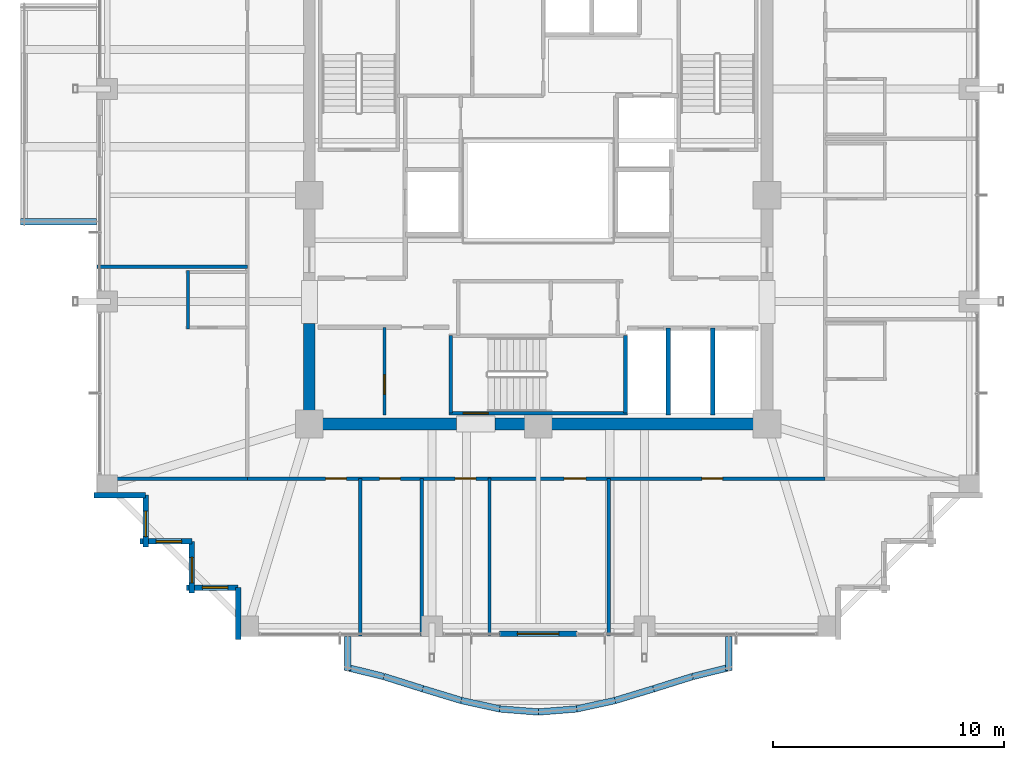
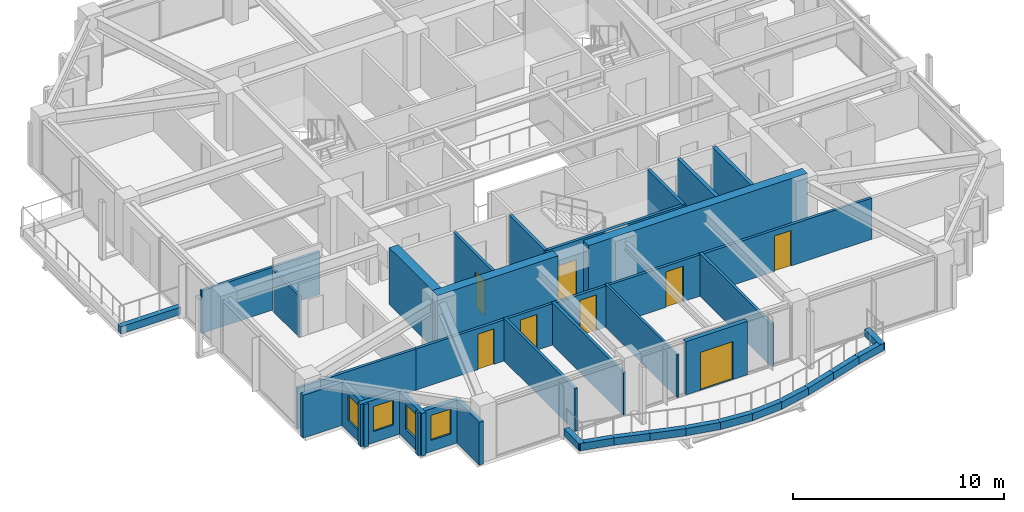
# One storey, part 27 of 34: 37 walls, 8 doors, 4 windows, 12 openings.
"""IFC4 building model written with IfcOpenShell, lengths in metres."""

from ifc_helpers import new_model, si_unit, direction, frame, frame_2d, origin, place, context, subcontext, project, spatial, rectangle, extrude, material, layer, layer_set, type_object, element, fill, save


model = new_model("IFC4")

# Units and contexts
model_context = context("Model", 3, precision=1e-05, world=origin(), true_north=direction((0.0, 1.0)))
body_context = subcontext(model_context, "Body", "Model", "MODEL_VIEW")
ifc_project = project(units=[si_unit("LENGTHUNIT", "METRE"), si_unit("AREAUNIT", "SQUARE_METRE"), si_unit("VOLUMEUNIT", "CUBIC_METRE"), si_unit("PLANEANGLEUNIT", "RADIAN"), si_unit("MASSUNIT", "GRAM", prefix="KILO")], contexts=[model_context])

# Site, building, storey
site_placement = place(None, origin())
site = spatial("IfcSite", under=ifc_project, at=site_placement, CompositionType="ELEMENT")
building_placement = place(site_placement, origin())
building = spatial("IfcBuilding", under=site, at=building_placement, Name="Kolvaren Belvedere", CompositionType="ELEMENT")
storey_placement = place(building_placement, frame((0.0, 0.0, 166.800048828125)))
storey = spatial("IfcBuildingStorey", under=building, at=storey_placement, Name="L48", CompositionType="ELEMENT", Elevation=166.800048828125)

# Walls
ifc_material_1 = material(Name="Concrete C50/60", Category="concrete")
ifc_layer_1 = layer(ifc_material_1, 0.5)
ifc_layer_set_1 = layer_set([ifc_layer_1], Name="Concrete C50/60")
wall_type_1 = type_object("IfcWallType", Name="CW-CORE-500", PredefinedType="SHEAR", material=ifc_layer_set_1)
wall_1_placement = place(storey_placement, frame((10.14990234375, -9.89990234375, 0.0), z_axis=(0.0, 0.0, 1.0), x_axis=(-1.0, 0.0, 0.0)))
element("IfcWall", 1, at=wall_1_placement, inside=storey, type_object=wall_type_1, Name="L48 South Core Shear Wall 1", PredefinedType="SHEAR", context=body_context, shape_type="SweptSolid", body=[
    extrude(rectangle(XDim=12.010009765625, YDim=0.5, at=frame_2d((6.0048828125, 0.0))), origin(), (0.0, 0.0, 1.0), 3.300048828125),
])
wall_2_placement = place(storey_placement, frame((-3.5400390625, -9.89990234375, 0.0), z_axis=(0.0, 0.0, 1.0), x_axis=(-1.0, 0.0, 0.0)))
element("IfcWall", 2, at=wall_2_placement, inside=storey, type_object=wall_type_1, Name="L48 South Core Shear Wall 2", PredefinedType="SHEAR", context=body_context, shape_type="SweptSolid", body=[
    extrude(rectangle(XDim=6.60986328125, YDim=0.5, at=frame_2d((3.304931640625, 0.0))), origin(), (0.0, 0.0, 1.0), 3.300048828125),
])
wall_3_placement = place(storey_placement, frame((-9.89990234375, -9.64990234375, 0.0), z_axis=(0.0, 0.0, 1.0), x_axis=(0.0, 1.0, 0.0)))
element("IfcWall", 3, at=wall_3_placement, inside=storey, type_object=wall_type_1, Name="L48 West Core Shear Wall 1", PredefinedType="SHEAR", context=body_context, shape_type="SweptSolid", body=[
    extrude(rectangle(XDim=4.099853515625, YDim=0.5, at=frame_2d((2.0498046875, 0.0))), origin(), (0.0, 0.0, 1.0), 3.300048828125),
])

# Wall, opening, door
ifc_material_2 = material(Name="Concrete C50/60", Category="concrete")
ifc_layer_2 = layer(ifc_material_2, 0.159912109375)
ifc_layer_set_2 = layer_set([ifc_layer_2], Name="Concrete C50/60")
wall_type_2 = type_object("IfcWallType", Name="CW-STAIR-160", PredefinedType="SHEAR", material=ifc_layer_set_2)
wall_4_placement = place(storey_placement, frame((3.860107421875, -9.429931640625, 0.0), z_axis=(0.0, 0.0, 1.0), x_axis=(-1.0, 0.0, 0.0)))
wall_4 = element("IfcWall", 4, at=wall_4_placement, inside=storey, type_object=wall_type_2, Name="L48 Stair ST-3 South Shear Wall", PredefinedType="SHEAR", context=body_context, shape_type="SweptSolid", body=[
    extrude(rectangle(XDim=7.72021484375, YDim=0.159912109375, at=frame_2d((3.860107421875, 0.0))), origin(), (0.0, 0.0, 1.0), 3.300048828125),
])
opening_1_placement = place(wall_4_placement, frame((6.010009765625, 0.0, 0.0)))
opening_1 = element("IfcOpeningElement", 5, at=opening_1_placement, cuts=wall_4, Name="Opening D-FD90", PredefinedType="OPENING", context=body_context, shape_type="SweptSolid", body=[
    extrude(rectangle(XDim=1.10009765625, YDim=2.199951171875, at=frame_2d((0.550048828125, 1.10009765625))), frame((0.0, 0.08984375, 0.0), z_axis=(0.0, -1.0, 0.0), x_axis=(1.0, 0.0, 0.0)), (0.0, 0.0, 1.0), 0.179931640625),
])
ifc_material_3 = material(Name="Painted hollow stainless steel", Category="steel")
door_type_1 = type_object("IfcDoorType", Name="DR-FD90-1100", OperationType="NOTDEFINED", PredefinedType="DOOR", material=ifc_material_3)
door_1_placement = place(opening_1_placement, origin())
door_1 = element("IfcDoor", 6, at=door_1_placement, inside=storey, type_object=door_type_1, Name="L48 Stair ST-3 Exit Door", OperationType="SINGLE_SWING_RIGHT", OverallHeight=2.199951171875, OverallWidth=1.10009765625, PredefinedType="DOOR", context=body_context, shape_type="SweptSolid", body=[
    extrude(rectangle(XDim=1.10009765625, YDim=2.199951171875, at=frame_2d((0.550048828125, 1.10009765625))), frame((0.0, 0.02490234375, 0.0), z_axis=(0.0, -1.0, 0.0), x_axis=(1.0, 0.0, 0.0)), (0.0, 0.0, 1.0), 0.050048828125),
])
fill(opening_1, door_1)

# Walls
for number, where, z_axis, x_axis, name in (
    (7, (-3.780029296875, -9.429931640625, 0.0), (0.0, 0.0, 1.0), (0.0, 1.0, 0.0), "L48 Stair ST-3 West Shear Wall"),
    (8, (3.780029296875, -9.429931640625, 0.0), (0.0, 0.0, 1.0), (0.0, 1.0, 0.0), "L48 Stair ST-3 East Shear Wall"),
):
    element("IfcWall", number, at=place(storey_placement, frame(where, z_axis=z_axis, x_axis=x_axis)), inside=storey, type_object=wall_type_2, Name=name, PredefinedType="SHEAR", context=body_context, shape_type="SweptSolid", body=[
        extrude(rectangle(XDim=3.349853515625, YDim=0.159912109375, at=frame_2d((1.6748046875, 0.0))), origin(), (0.0, 0.0, 1.0), 3.300048828125),
    ])

# Wall, openings, doors
ifc_material_4 = material(Name="Gypsum fire-rated partition assembly", Category="gypsum")
ifc_layer_3 = layer(ifc_material_4, 0.14990234375)
ifc_layer_set_3 = layer_set([ifc_layer_3], Name="Gypsum fire-rated partition assembly")
wall_type_3 = type_object("IfcWallType", Name="WL-CORR-150", PredefinedType="PARTITIONING", material=ifc_layer_set_3)
wall_5_placement = place(storey_placement, frame((-12.580078125, -12.260009765625, 0.0), z_axis=(0.0, 0.0, 1.0), x_axis=(1.0, 0.0, 0.0)))
wall_5 = element("IfcWall", 9, at=wall_5_placement, inside=storey, type_object=wall_type_3, Name="L48 South Corridor Wall", PredefinedType="PARTITIONING", context=body_context, shape_type="SweptSolid", body=[
    extrude(rectangle(XDim=25.0, YDim=0.14990234375, at=frame_2d((12.5, 0.0))), origin(), (0.0, 0.0, 1.0), 2.388916015625),
])
opening_2_placement = place(wall_5_placement, frame((3.37890625, 0.0, 0.0)))
opening_2 = element("IfcOpeningElement", 10, at=opening_2_placement, cuts=wall_5, Name="Opening D-INT90", PredefinedType="OPENING", context=body_context, shape_type="SweptSolid", body=[
    extrude(rectangle(XDim=0.89990234375, YDim=2.06005859375, at=frame_2d((0.449951171875, 1.030029296875))), frame((0.0, 0.0849609375, 0.0), z_axis=(0.0, -1.0, 0.0), x_axis=(1.0, 0.0, 0.0)), (0.0, 0.0, 1.0), 0.169921875),
])
opening_3_placement = place(wall_5_placement, frame((5.714111328125, 0.0, 0.0)))
opening_3 = element("IfcOpeningElement", 11, at=opening_3_placement, cuts=wall_5, Name="Opening D-INT90", PredefinedType="OPENING", context=body_context, shape_type="SweptSolid", body=[
    extrude(rectangle(XDim=0.89990234375, YDim=2.06005859375, at=frame_2d((0.449951171875, 1.030029296875))), frame((0.0, 0.0849609375, 0.0), z_axis=(0.0, -1.0, 0.0), x_axis=(1.0, 0.0, 0.0)), (0.0, 0.0, 1.0), 0.169921875),
])
opening_4_placement = place(wall_5_placement, frame((8.984619140625, 0.0, 0.0)))
opening_4 = element("IfcOpeningElement", 12, at=opening_4_placement, cuts=wall_5, Name="Opening D-INT90", PredefinedType="OPENING", context=body_context, shape_type="SweptSolid", body=[
    extrude(rectangle(XDim=0.89990234375, YDim=2.06005859375, at=frame_2d((0.449951171875, 1.030029296875))), frame((0.0, 0.0849609375, 0.0), z_axis=(0.0, -1.0, 0.0), x_axis=(1.0, 0.0, 0.0)), (0.0, 0.0, 1.0), 0.169921875),
])
opening_5_placement = place(wall_5_placement, frame((13.69775390625, 0.0, 0.0)))
opening_5 = element("IfcOpeningElement", 13, at=opening_5_placement, cuts=wall_5, Name="Opening D-INT95", PredefinedType="OPENING", context=body_context, shape_type="SweptSolid", body=[
    extrude(rectangle(XDim=0.949951171875, YDim=2.06005859375, at=frame_2d((0.47509765625, 1.030029296875))), frame((0.0, 0.0849609375, 0.0), z_axis=(0.0, -1.0, 0.0), x_axis=(1.0, 0.0, 0.0)), (0.0, 0.0, 1.0), 0.169921875),
])
opening_6_placement = place(wall_5_placement, frame((19.6650390625, 0.0, 0.0)))
opening_6 = element("IfcOpeningElement", 14, at=opening_6_placement, cuts=wall_5, Name="Opening D-INT90", PredefinedType="OPENING", context=body_context, shape_type="SweptSolid", body=[
    extrude(rectangle(XDim=0.89990234375, YDim=2.06005859375, at=frame_2d((0.449951171875, 1.030029296875))), frame((0.0, 0.0849609375, 0.0), z_axis=(0.0, -1.0, 0.0), x_axis=(1.0, 0.0, 0.0)), (0.0, 0.0, 1.0), 0.169921875),
])
ifc_material_5 = material(Name="Stained Pacific white oak", Category="timber")
door_type_2 = type_object("IfcDoorType", Name="DR-INT-900", OperationType="NOTDEFINED", PredefinedType="DOOR", material=ifc_material_5)
door_2_placement = place(opening_2_placement, origin())
door_2 = element("IfcDoor", 15, at=door_2_placement, inside=storey, type_object=door_type_2, Name="L48 Private Hospitality Meeting Room 4801 Door", OperationType="SINGLE_SWING_RIGHT", OverallHeight=2.06005859375, OverallWidth=0.89990234375, PredefinedType="DOOR", context=body_context, shape_type="SweptSolid", body=[
    extrude(rectangle(XDim=0.89990234375, YDim=2.06005859375, at=frame_2d((0.449951171875, 1.030029296875))), frame((0.0, 0.02490234375, 0.0), z_axis=(0.0, -1.0, 0.0), x_axis=(1.0, 0.0, 0.0)), (0.0, 0.0, 1.0), 0.050048828125),
])
fill(opening_2, door_2)
door_3_placement = place(opening_3_placement, origin())
door_3 = element("IfcDoor", 16, at=door_3_placement, inside=storey, type_object=door_type_2, Name="L48 Panoramic Quiet Lounge 4802 Door", OperationType="SINGLE_SWING_LEFT", OverallHeight=2.06005859375, OverallWidth=0.89990234375, PredefinedType="DOOR", context=body_context, shape_type="SweptSolid", body=[
    extrude(rectangle(XDim=0.89990234375, YDim=2.06005859375, at=frame_2d((0.449951171875, 1.030029296875))), frame((0.0, 0.02490234375, 0.0), z_axis=(0.0, -1.0, 0.0), x_axis=(1.0, 0.0, 0.0)), (0.0, 0.0, 1.0), 0.050048828125),
])
fill(opening_3, door_3)
door_4_placement = place(opening_4_placement, origin())
door_4 = element("IfcDoor", 17, at=door_4_placement, inside=storey, type_object=door_type_2, Name="L48 Housekeeping Door", OperationType="SINGLE_SWING_RIGHT", OverallHeight=2.06005859375, OverallWidth=0.89990234375, PredefinedType="DOOR", context=body_context, shape_type="SweptSolid", body=[
    extrude(rectangle(XDim=0.89990234375, YDim=2.06005859375, at=frame_2d((0.449951171875, 1.030029296875))), frame((0.0, 0.02490234375, 0.0), z_axis=(0.0, -1.0, 0.0), x_axis=(1.0, 0.0, 0.0)), (0.0, 0.0, 1.0), 0.050048828125),
])
fill(opening_4, door_4)
door_5_placement = place(opening_6_placement, origin())
door_5 = element("IfcDoor", 18, at=door_5_placement, inside=storey, type_object=door_type_2, Name="L48 Botanical Reading Salon 4803 Door", OperationType="SINGLE_SWING_RIGHT", OverallHeight=2.06005859375, OverallWidth=0.89990234375, PredefinedType="DOOR", context=body_context, shape_type="SweptSolid", body=[
    extrude(rectangle(XDim=0.89990234375, YDim=2.06005859375, at=frame_2d((0.449951171875, 1.030029296875))), frame((0.0, 0.02490234375, 0.0), z_axis=(0.0, -1.0, 0.0), x_axis=(1.0, 0.0, 0.0)), (0.0, 0.0, 1.0), 0.050048828125),
])
fill(opening_6, door_5)
ifc_material_6 = material(Name="Stained Pacific white oak", Category="timber")
door_type_3 = type_object("IfcDoorType", Name="DR-INT-950", OperationType="NOTDEFINED", PredefinedType="DOOR", material=ifc_material_6)
door_6_placement = place(opening_5_placement, origin())
door_6 = element("IfcDoor", 19, at=door_6_placement, inside=storey, type_object=door_type_3, Name="L48 Accessible Washroom Door", OperationType="SINGLE_SWING_LEFT", OverallHeight=2.06005859375, OverallWidth=0.949951171875, PredefinedType="DOOR", context=body_context, shape_type="SweptSolid", body=[
    extrude(rectangle(XDim=0.949951171875, YDim=2.06005859375, at=frame_2d((0.47509765625, 1.030029296875))), frame((0.0, 0.02490234375, 0.0), z_axis=(0.0, -1.0, 0.0), x_axis=(1.0, 0.0, 0.0)), (0.0, 0.0, 1.0), 0.050048828125),
])
fill(opening_5, door_6)

# Wall, opening, door
ifc_material_7 = material(Name="Insulated pale-metal facade wall assembly", Category="aluminium")
ifc_layer_4 = layer(ifc_material_7, 0.239990234375)
ifc_layer_set_4 = layer_set([ifc_layer_4], Name="Insulated pale-metal facade wall assembly")
wall_type_4 = type_object("IfcWallType", Name="WL-EXT-240", PredefinedType="STANDARD", material=ifc_layer_set_4)
wall_6_placement = place(storey_placement, frame((1.679931640625, -18.97998046875, 0.0), z_axis=(0.0, 0.0, 1.0), x_axis=(-1.0, 0.0, 0.0)))
wall_6 = element("IfcWall", 20, at=wall_6_placement, inside=storey, type_object=wall_type_4, Name="L48 South Terrace Portal Wall", PredefinedType="STANDARD", context=body_context, shape_type="SweptSolid", body=[
    extrude(rectangle(XDim=3.35986328125, YDim=0.239990234375, at=frame_2d((1.679931640625, 0.0))), origin(), (0.0, 0.0, 1.0), 3.099853515625),
])
opening_7_placement = place(wall_6_placement, frame((0.780029296875, 0.0, 0.0)))
opening_7 = element("IfcOpeningElement", 21, at=opening_7_placement, cuts=wall_6, Name="Opening DB-1800", PredefinedType="OPENING", context=body_context, shape_type="SweptSolid", body=[
    extrude(rectangle(XDim=1.800048828125, YDim=2.199951171875, at=frame_2d((0.89990234375, 1.10009765625))), frame((0.0, 0.1298828125, 0.0), z_axis=(0.0, -1.0, 0.0), x_axis=(1.0, 0.0, 0.0)), (0.0, 0.0, 1.0), 0.260009765625),
])
ifc_material_8 = material(Name="Thermally broken pale-metal aluminium & low-iron glass", Category="aluminium")
door_type_4 = type_object("IfcDoorType", Name="DR-BAL-1800", OperationType="DOUBLE_DOOR_SLIDING", PredefinedType="DOOR", material=ifc_material_8)
door_7_placement = place(opening_7_placement, origin())
door_7 = element("IfcDoor", 22, at=door_7_placement, inside=storey, type_object=door_type_4, Name="L48 South Planted Terrace Sliding Door", OperationType="DOUBLE_DOOR_SLIDING", OverallHeight=2.199951171875, OverallWidth=1.800048828125, PredefinedType="DOOR", context=body_context, shape_type="SweptSolid", body=[
    extrude(rectangle(XDim=1.800048828125, YDim=2.199951171875, at=frame_2d((0.89990234375, 1.10009765625))), frame((0.0, 0.02490234375, 0.0), z_axis=(0.0, -1.0, 0.0), x_axis=(1.0, 0.0, 0.0)), (0.0, 0.0, 1.0), 0.050048828125),
])
fill(opening_7, door_7)

# Wall
wall_7_placement = place(storey_placement, frame((-16.97998046875, -12.97998046875, 0.0), z_axis=(0.0, 0.0, 1.0), x_axis=(-1.0, 0.0, 0.0)))
element("IfcWall", 23, at=wall_7_placement, inside=storey, type_object=wall_type_4, Name="L48 Serrated Corner Facade Wall 23", PredefinedType="STANDARD", context=body_context, shape_type="SweptSolid", body=[
    extrude(rectangle(XDim=2.239990234375, YDim=0.239990234375, at=frame_2d((1.1201171875, 0.0))), origin(), (0.0, 0.0, 1.0), 2.48291015625),
])

# Wall, opening, window
wall_8_placement = place(storey_placement, frame((-16.97998046875, -15.219970703125, 0.0), z_axis=(0.0, 0.0, 1.0), x_axis=(0.0, 1.0, 0.0)))
wall_8 = element("IfcWall", 24, at=wall_8_placement, inside=storey, type_object=wall_type_4, Name="L48 Serrated Corner Facade Wall 24", PredefinedType="STANDARD", context=body_context, shape_type="SweptSolid", body=[
    extrude(rectangle(XDim=2.239990234375, YDim=0.239990234375, at=frame_2d((1.1201171875, 0.0))), origin(), (0.0, 0.0, 1.0), 2.48291015625),
])
opening_8_placement = place(wall_8_placement, frame((0.449951171875, 0.0, 0.64990234375)))
opening_8 = element("IfcOpeningElement", 25, at=opening_8_placement, cuts=wall_8, Name="Opening W-1100", PredefinedType="OPENING", context=body_context, shape_type="SweptSolid", body=[
    extrude(rectangle(XDim=1.10009765625, YDim=1.449951171875, at=frame_2d((0.550048828125, 0.72509765625))), frame((0.0, 0.1298828125, 0.0), z_axis=(0.0, -1.0, 0.0), x_axis=(1.0, 0.0, 0.0)), (0.0, 0.0, 1.0), 0.260009765625),
])
ifc_material_9 = material(Name="Low-iron triple insulated glass", Category="glass")
window_type = type_object("IfcWindowType", Name="WN-CORN-1100", PartitioningType="SINGLE_PANEL", PredefinedType="WINDOW", material=ifc_material_9)
window_1_placement = place(opening_8_placement, origin())
window_1 = element("IfcWindow", 26, at=window_1_placement, inside=storey, type_object=window_type, Name="L48 Serrated Corner Vision Window 24", OverallHeight=1.449951171875, OverallWidth=1.10009765625, PartitioningType="SINGLE_PANEL", PredefinedType="WINDOW", context=body_context, shape_type="SweptSolid", body=[
    extrude(rectangle(XDim=1.10009765625, YDim=1.449951171875, at=frame_2d((0.550048828125, 0.72509765625))), frame((0.0, 0.030029296875, 0.0), z_axis=(0.0, -1.0, 0.0), x_axis=(1.0, 0.0, 0.0)), (0.0, 0.0, 1.0), 0.06005859375),
])
fill(opening_8, window_1)

wall_9_placement = place(storey_placement, frame((-14.97998046875, -14.97998046875, 0.0), z_axis=(0.0, 0.0, 1.0), x_axis=(-1.0, 0.0, 0.0)))
wall_9 = element("IfcWall", 27, at=wall_9_placement, inside=storey, type_object=wall_type_4, Name="L48 Serrated Corner Facade Wall 25", PredefinedType="STANDARD", context=body_context, shape_type="SweptSolid", body=[
    extrude(rectangle(XDim=2.239990234375, YDim=0.239990234375, at=frame_2d((1.1201171875, 0.0))), origin(), (0.0, 0.0, 1.0), 2.48291015625),
])
opening_9_placement = place(wall_9_placement, frame((0.449951171875, 0.0, 0.64990234375)))
opening_9 = element("IfcOpeningElement", 28, at=opening_9_placement, cuts=wall_9, Name="Opening W-1100", PredefinedType="OPENING", context=body_context, shape_type="SweptSolid", body=[
    extrude(rectangle(XDim=1.10009765625, YDim=1.449951171875, at=frame_2d((0.550048828125, 0.72509765625))), frame((0.0, 0.1298828125, 0.0), z_axis=(0.0, -1.0, 0.0), x_axis=(1.0, 0.0, 0.0)), (0.0, 0.0, 1.0), 0.260009765625),
])
window_2_placement = place(opening_9_placement, origin())
window_2 = element("IfcWindow", 29, at=window_2_placement, inside=storey, type_object=window_type, Name="L48 Serrated Corner Vision Window 25", OverallHeight=1.449951171875, OverallWidth=1.10009765625, PartitioningType="SINGLE_PANEL", PredefinedType="WINDOW", context=body_context, shape_type="SweptSolid", body=[
    extrude(rectangle(XDim=1.10009765625, YDim=1.449951171875, at=frame_2d((0.550048828125, 0.72509765625))), frame((0.0, 0.030029296875, 0.0), z_axis=(0.0, -1.0, 0.0), x_axis=(1.0, 0.0, 0.0)), (0.0, 0.0, 1.0), 0.06005859375),
])
fill(opening_9, window_2)

wall_10_placement = place(storey_placement, frame((-14.97998046875, -17.219970703125, 0.0), z_axis=(0.0, 0.0, 1.0), x_axis=(0.0, 1.0, 0.0)))
wall_10 = element("IfcWall", 30, at=wall_10_placement, inside=storey, type_object=wall_type_4, Name="L48 Serrated Corner Facade Wall 26", PredefinedType="STANDARD", context=body_context, shape_type="SweptSolid", body=[
    extrude(rectangle(XDim=2.239990234375, YDim=0.239990234375, at=frame_2d((1.1201171875, 0.0))), origin(), (0.0, 0.0, 1.0), 2.48291015625),
])
opening_10_placement = place(wall_10_placement, frame((0.449951171875, 0.0, 0.64990234375)))
opening_10 = element("IfcOpeningElement", 31, at=opening_10_placement, cuts=wall_10, Name="Opening W-1100", PredefinedType="OPENING", context=body_context, shape_type="SweptSolid", body=[
    extrude(rectangle(XDim=1.10009765625, YDim=1.449951171875, at=frame_2d((0.550048828125, 0.72509765625))), frame((0.0, 0.1298828125, 0.0), z_axis=(0.0, -1.0, 0.0), x_axis=(1.0, 0.0, 0.0)), (0.0, 0.0, 1.0), 0.260009765625),
])
window_3_placement = place(opening_10_placement, origin())
window_3 = element("IfcWindow", 32, at=window_3_placement, inside=storey, type_object=window_type, Name="L48 Serrated Corner Vision Window 26", OverallHeight=1.449951171875, OverallWidth=1.10009765625, PartitioningType="SINGLE_PANEL", PredefinedType="WINDOW", context=body_context, shape_type="SweptSolid", body=[
    extrude(rectangle(XDim=1.10009765625, YDim=1.449951171875, at=frame_2d((0.550048828125, 0.72509765625))), frame((0.0, 0.030029296875, 0.0), z_axis=(0.0, -1.0, 0.0), x_axis=(1.0, 0.0, 0.0)), (0.0, 0.0, 1.0), 0.06005859375),
])
fill(opening_10, window_3)

wall_11_placement = place(storey_placement, frame((-12.97998046875, -16.97998046875, 0.0), z_axis=(0.0, 0.0, 1.0), x_axis=(-1.0, 0.0, 0.0)))
wall_11 = element("IfcWall", 33, at=wall_11_placement, inside=storey, type_object=wall_type_4, Name="L48 Serrated Corner Facade Wall 27", PredefinedType="STANDARD", context=body_context, shape_type="SweptSolid", body=[
    extrude(rectangle(XDim=2.239990234375, YDim=0.239990234375, at=frame_2d((1.1201171875, 0.0))), origin(), (0.0, 0.0, 1.0), 2.48291015625),
])
opening_11_placement = place(wall_11_placement, frame((0.449951171875, 0.0, 0.64990234375)))
opening_11 = element("IfcOpeningElement", 34, at=opening_11_placement, cuts=wall_11, Name="Opening W-1100", PredefinedType="OPENING", context=body_context, shape_type="SweptSolid", body=[
    extrude(rectangle(XDim=1.10009765625, YDim=1.449951171875, at=frame_2d((0.550048828125, 0.72509765625))), frame((0.0, 0.1298828125, 0.0), z_axis=(0.0, -1.0, 0.0), x_axis=(1.0, 0.0, 0.0)), (0.0, 0.0, 1.0), 0.260009765625),
])
window_4_placement = place(opening_11_placement, origin())
window_4 = element("IfcWindow", 35, at=window_4_placement, inside=storey, type_object=window_type, Name="L48 Serrated Corner Vision Window 27", OverallHeight=1.449951171875, OverallWidth=1.10009765625, PartitioningType="SINGLE_PANEL", PredefinedType="WINDOW", context=body_context, shape_type="SweptSolid", body=[
    extrude(rectangle(XDim=1.10009765625, YDim=1.449951171875, at=frame_2d((0.550048828125, 0.72509765625))), frame((0.0, 0.030029296875, 0.0), z_axis=(0.0, -1.0, 0.0), x_axis=(1.0, 0.0, 0.0)), (0.0, 0.0, 1.0), 0.06005859375),
])
fill(opening_11, window_4)

# Wall
wall_12_placement = place(storey_placement, frame((-12.97998046875, -19.219970703125, 0.0), z_axis=(0.0, 0.0, 1.0), x_axis=(0.0, 1.0, 0.0)))
element("IfcWall", 36, at=wall_12_placement, inside=storey, type_object=wall_type_4, Name="L48 Serrated Corner Facade Wall 28", PredefinedType="STANDARD", context=body_context, shape_type="SweptSolid", body=[
    extrude(rectangle(XDim=2.239990234375, YDim=0.239990234375, at=frame_2d((1.1201171875, 0.0))), origin(), (0.0, 0.0, 1.0), 2.48291015625),
])

# Wall, opening, door
ifc_material_10 = material(Name="Gypsum acoustic partition assembly", Category="gypsum")
ifc_layer_5 = layer(ifc_material_10, 0.14990234375)
ifc_layer_set_5 = layer_set([ifc_layer_5], Name="Gypsum acoustic partition assembly")
wall_type_5 = type_object("IfcWallType", Name="WL-PART-150", PredefinedType="PARTITIONING", material=ifc_layer_set_5)
wall_13_placement = place(storey_placement, frame((-6.64990234375, -9.52001953125, 0.0), z_axis=(0.0, 0.0, 1.0), x_axis=(0.0, 1.0, 0.0)))
wall_13 = element("IfcWall", 37, at=wall_13_placement, inside=storey, type_object=wall_type_5, Name="L48 Reclaimed Mid Divider", PredefinedType="PARTITIONING", context=body_context, shape_type="SweptSolid", body=[
    extrude(rectangle(XDim=3.800048828125, YDim=0.14990234375, at=frame_2d((1.89990234375, 0.0))), origin(), (0.0, 0.0, 1.0), 3.099853515625),
])
opening_12_placement = place(wall_13_placement, frame((0.89990234375, 0.0, 0.0)))
opening_12 = element("IfcOpeningElement", 38, at=opening_12_placement, cuts=wall_13, Name="Opening D-INT85", PredefinedType="OPENING", context=body_context, shape_type="SweptSolid", body=[
    extrude(rectangle(XDim=0.85009765625, YDim=2.030029296875, at=frame_2d((0.425048828125, 1.01513671875))), frame((0.0, 0.0849609375, 0.0), z_axis=(0.0, -1.0, 0.0), x_axis=(1.0, 0.0, 0.0)), (0.0, 0.0, 1.0), 0.169921875),
])
ifc_material_11 = material(Name="Stained Pacific white oak", Category="timber")
door_type_5 = type_object("IfcDoorType", Name="DR-INT-850", OperationType="NOTDEFINED", PredefinedType="DOOR", material=ifc_material_11)
door_8_placement = place(opening_12_placement, origin())
door_8 = element("IfcDoor", 39, at=door_8_placement, inside=storey, type_object=door_type_5, Name="L48 Conservatory Alcove Door", OperationType="SINGLE_SWING_RIGHT", OverallHeight=2.030029296875, OverallWidth=0.85009765625, PredefinedType="DOOR", context=body_context, shape_type="SweptSolid", body=[
    extrude(rectangle(XDim=0.85009765625, YDim=2.030029296875, at=frame_2d((0.425048828125, 1.01513671875))), frame((0.0, 0.02490234375, 0.0), z_axis=(0.0, -1.0, 0.0), x_axis=(1.0, 0.0, 0.0)), (0.0, 0.0, 1.0), 0.050048828125),
])
fill(opening_12, door_8)

# Walls
wall_14_placement = place(storey_placement, frame((-19.080078125, -12.260009765625, 0.0), z_axis=(0.0, 0.0, 1.0), x_axis=(1.0, 0.0, 0.0)))
element("IfcWall", 40, at=wall_14_placement, inside=storey, type_object=wall_type_5, Name="L48 Wing Divider PW-L48-QSW", PredefinedType="PARTITIONING", context=body_context, shape_type="SweptSolid", body=[
    extrude(rectangle(XDim=6.5, YDim=0.14990234375, at=frame_2d((3.25, 0.0))), origin(), (0.0, 0.0, 1.0), 2.388916015625),
])
for number, where, z_axis, x_axis, name in (
    (41, (-7.68994140625, -19.080078125, 0.0), (0.0, 0.0, 1.0), (0.0, 1.0, 0.0), "L48 South Suite Demising Wall 1"),
    (42, (-5.0400390625, -19.080078125, 0.0), (0.0, 0.0, 1.0), (0.0, 1.0, 0.0), "L48 South Suite Demising Wall 2"),
    (43, (3.06005859375, -19.080078125, 0.0), (0.0, 0.0, 1.0), (0.0, 1.0, 0.0), "L48 South Suite Demising Wall 3"),
):
    element("IfcWall", number, at=place(storey_placement, frame(where, z_axis=z_axis, x_axis=x_axis)), inside=storey, type_object=wall_type_5, Name=name, PredefinedType="PARTITIONING", context=body_context, shape_type="SweptSolid", body=[
        extrude(rectangle(XDim=6.820068359375, YDim=0.14990234375, at=frame_2d((3.41015625, 0.0))), origin(), (0.0, 0.0, 1.0), 2.472900390625),
    ])
wall_15_placement = place(storey_placement, frame((-19.080078125, -3.10400390625, 0.0), z_axis=(0.0, 0.0, 1.0), x_axis=(1.0, 0.0, 0.0)))
element("IfcWall", 44, at=wall_15_placement, inside=storey, type_object=wall_type_5, Name="L48 West Suite Demising Wall 1", PredefinedType="PARTITIONING", context=body_context, shape_type="SweptSolid", body=[
    extrude(rectangle(XDim=6.5, YDim=0.14990234375, at=frame_2d((3.25, 0.0))), origin(), (0.0, 0.0, 1.0), 2.472900390625),
])
ifc_material_12 = material(Name="Precast concrete C40/50", Category="concrete")
ifc_layer_6 = layer(ifc_material_12, 0.300048828125)
ifc_layer_set_6 = layer_set([ifc_layer_6], Name="Precast concrete C40/50")
wall_type_6 = type_object("IfcWallType", Name="WL-PLANTER-300", PredefinedType="PARAPET", material=ifc_layer_set_6)
wall_16_placement = place(storey_placement, frame((-8.36181640625, -20.410888671875, -0.02001953125), z_axis=(0.0, 0.0, 1.0), x_axis=(0.970983132151, -0.239147981546, 0.0)))
element("IfcWall", 45, at=wall_16_placement, inside=storey, type_object=wall_type_6, Name="L48 Precast Structural Planter Wall BAL-S-1", PredefinedType="PARAPET", context=body_context, shape_type="SweptSolid", body=[
    extrude(rectangle(XDim=1.73046875, YDim=0.280029296875, at=frame_2d((0.865234375, 0.0))), origin(), (0.0, 0.0, 1.0), 0.419921875),
])
wall_17_placement = place(storey_placement, frame((-6.672119140625, -20.82763671875, -0.02001953125), z_axis=(0.0, 0.0, 1.0), x_axis=(0.954057149461, -0.299624691176, 0.0)))
element("IfcWall", 46, at=wall_17_placement, inside=storey, type_object=wall_type_6, Name="L48 Precast Structural Planter Wall BAL-S-2", PredefinedType="PARAPET", context=body_context, shape_type="SweptSolid", body=[
    extrude(rectangle(XDim=1.7607421875, YDim=0.280029296875, at=frame_2d((0.88037109375, 0.0))), origin(), (0.0, 0.0, 1.0), 0.419921875),
])
wall_18_placement = place(storey_placement, frame((-4.993408203125, -21.354736328125, -0.02001953125), z_axis=(0.0, 0.0, 1.0), x_axis=(0.956759718748, -0.290879426191, 0.0)))
element("IfcWall", 47, at=wall_18_placement, inside=storey, type_object=wall_type_6, Name="L48 Precast Structural Planter Wall BAL-S-3", PredefinedType="PARAPET", context=body_context, shape_type="SweptSolid", body=[
    extrude(rectangle(XDim=1.755859375, YDim=0.280029296875, at=frame_2d((0.8779296875, 0.0))), origin(), (0.0, 0.0, 1.0), 0.419921875),
])
wall_19_placement = place(storey_placement, frame((-3.32568359375, -21.8623046875, -0.02001953125), z_axis=(0.0, 0.0, 1.0), x_axis=(0.976876857632, -0.213802724545, 0.0)))
element("IfcWall", 48, at=wall_19_placement, inside=storey, type_object=wall_type_6, Name="L48 Precast Structural Planter Wall BAL-S-4", PredefinedType="PARAPET", context=body_context, shape_type="SweptSolid", body=[
    extrude(rectangle(XDim=1.7197265625, YDim=0.280029296875, at=frame_2d((0.85986328125, 0.0))), origin(), (0.0, 0.0, 1.0), 0.419921875),
])
for number, where, z_axis, x_axis, name in (
    (49, (-1.667236328125, -22.226806640625, -0.02001953125), (0.0, 0.0, 1.0), (0.996843773847, -0.079388226721, 0.0), "L48 Precast Structural Planter Wall BAL-S-5"),
    (50, (-0.0126953125, -22.360595703125, -0.02001953125), (0.0, 0.0, 1.0), (0.996843773847, 0.079388226721, 0.0), "L48 Precast Structural Planter Wall BAL-S-6"),
):
    element("IfcWall", number, at=place(storey_placement, frame(where, z_axis=z_axis, x_axis=x_axis)), inside=storey, type_object=wall_type_6, Name=name, PredefinedType="PARAPET", context=body_context, shape_type="SweptSolid", body=[
        extrude(rectangle(XDim=1.685302734375, YDim=0.280029296875, at=frame_2d((0.8427734375, 0.0))), origin(), (0.0, 0.0, 1.0), 0.419921875),
    ])
wall_20_placement = place(storey_placement, frame((1.645751953125, -22.22998046875, -0.02001953125), z_axis=(0.0, 0.0, 1.0), x_axis=(0.976876857632, 0.213802724545, 0.0)))
element("IfcWall", 51, at=wall_20_placement, inside=storey, type_object=wall_type_6, Name="L48 Precast Structural Planter Wall BAL-S-7", PredefinedType="PARAPET", context=body_context, shape_type="SweptSolid", body=[
    extrude(rectangle(XDim=1.7197265625, YDim=0.280029296875, at=frame_2d((0.85986328125, 0.0))), origin(), (0.0, 0.0, 1.0), 0.419921875),
])
wall_21_placement = place(storey_placement, frame((3.3134765625, -21.865478515625, -0.02001953125), z_axis=(0.0, 0.0, 1.0), x_axis=(0.956759718748, 0.290879426191, 0.0)))
element("IfcWall", 52, at=wall_21_placement, inside=storey, type_object=wall_type_6, Name="L48 Precast Structural Planter Wall BAL-S-8", PredefinedType="PARAPET", context=body_context, shape_type="SweptSolid", body=[
    extrude(rectangle(XDim=1.755859375, YDim=0.280029296875, at=frame_2d((0.8779296875, 0.0))), origin(), (0.0, 0.0, 1.0), 0.419921875),
])
wall_22_placement = place(storey_placement, frame((4.9921875, -21.355224609375, -0.02001953125), z_axis=(0.0, 0.0, 1.0), x_axis=(0.954057149461, 0.299624691176, 0.0)))
element("IfcWall", 53, at=wall_22_placement, inside=storey, type_object=wall_type_6, Name="L48 Precast Structural Planter Wall BAL-S-9", PredefinedType="PARAPET", context=body_context, shape_type="SweptSolid", body=[
    extrude(rectangle(XDim=1.7607421875, YDim=0.280029296875, at=frame_2d((0.88037109375, 0.0))), origin(), (0.0, 0.0, 1.0), 0.419921875),
])
wall_23_placement = place(storey_placement, frame((6.681640625, -20.82470703125, -0.02001953125), z_axis=(0.0, 0.0, 1.0), x_axis=(0.970983132151, 0.239147981546, 0.0)))
element("IfcWall", 54, at=wall_23_placement, inside=storey, type_object=wall_type_6, Name="L48 Precast Structural Planter Wall BAL-S-10", PredefinedType="PARAPET", context=body_context, shape_type="SweptSolid", body=[
    extrude(rectangle(XDim=1.73046875, YDim=0.280029296875, at=frame_2d((0.865234375, 0.0))), origin(), (0.0, 0.0, 1.0), 0.419921875),
])
for number, where, z_axis, x_axis, name in (
    (55, (8.239990234375, -20.56640625, -0.02001953125), (0.0, 0.0, 1.0), (0.0, 1.0, 0.0), "L48 Precast Structural Planter Wall BAL-S-11"),
    (56, (-8.239990234375, -19.10009765625, -0.02001953125), (0.0, 0.0, 1.0), (0.0, -1.0, 0.0), "L48 Precast Structural Planter Wall BAL-S-22"),
):
    element("IfcWall", number, at=place(storey_placement, frame(where, z_axis=z_axis, x_axis=x_axis)), inside=storey, type_object=wall_type_6, Name=name, PredefinedType="PARAPET", context=body_context, shape_type="SweptSolid", body=[
        extrude(rectangle(XDim=1.46630859375, YDim=0.280029296875, at=frame_2d((0.733154296875, 0.0))), origin(), (0.0, 0.0, 1.0), 0.419921875),
    ])
wall_24_placement = place(storey_placement, frame((-22.39990234375, -1.139892578125, -0.02001953125), z_axis=(0.0, 0.0, 1.0), x_axis=(1.0, 0.0, 0.0)))
element("IfcWall", 57, at=wall_24_placement, inside=storey, type_object=wall_type_6, Name="L48 Precast Structural Planter Wall SPIRAL-07-W-1", PredefinedType="PARAPET", context=body_context, shape_type="SweptSolid", body=[
    extrude(rectangle(XDim=3.2998046875, YDim=0.280029296875, at=frame_2d((1.64990234375, 0.0))), origin(), (0.0, 0.0, 1.0), 0.419921875),
])
ifc_material_13 = material(Name="Concrete C50/60", Category="concrete")
ifc_layer_7 = layer(ifc_material_13, 0.199951171875)
ifc_layer_set_7 = layer_set([ifc_layer_7], Name="Concrete C50/60")
wall_type_7 = type_object("IfcWallType", Name="WL-SHAFT-200", PredefinedType="SOLIDWALL", material=ifc_layer_set_7)
for number, where, z_axis, x_axis, name in (
    (58, (5.6298828125, -9.52001953125, 0.0), (0.0, 0.0, 1.0), (0.0, 1.0, 0.0), "L48 High-Rise Hoistway Divider 1"),
    (59, (7.56005859375, -9.52001953125, 0.0), (0.0, 0.0, 1.0), (0.0, 1.0, 0.0), "L48 High-Rise Hoistway Divider 2"),
):
    element("IfcWall", number, at=place(storey_placement, frame(where, z_axis=z_axis, x_axis=x_axis)), inside=storey, type_object=wall_type_7, Name=name, PredefinedType="SOLIDWALL", context=body_context, shape_type="SweptSolid", body=[
        extrude(rectangle(XDim=3.77001953125, YDim=0.199951171875, at=frame_2d((1.885009765625, 0.0))), origin(), (0.0, 0.0, 1.0), 3.099853515625),
    ])
ifc_material_14 = material(Name="Moisture-resistant gypsum partition", Category="gypsum")
ifc_layer_8 = layer(ifc_material_14, 0.125)
ifc_layer_set_8 = layer_set([ifc_layer_8], Name="Moisture-resistant gypsum partition")
wall_type_8 = type_object("IfcWallType", Name="WL-WET-125", PredefinedType="PARTITIONING", material=ifc_layer_set_8)
wall_25_placement = place(storey_placement, frame((-2.111083984375, -19.080078125, 0.0), z_axis=(0.0, 0.0, 1.0), x_axis=(0.0, 1.0, 0.0)))
element("IfcWall", 60, at=wall_25_placement, inside=storey, type_object=wall_type_8, Name="L48 Housekeeping Washroom Divider", PredefinedType="PARTITIONING", context=body_context, shape_type="SweptSolid", body=[
    extrude(rectangle(XDim=6.844970703125, YDim=0.125, at=frame_2d((3.42236328125, 0.0))), origin(), (0.0, 0.0, 1.0), 2.472900390625),
])
wall_26_placement = place(storey_placement, frame((-15.155029296875, -5.783935546875, 0.0), z_axis=(0.0, 0.0, 1.0), x_axis=(0.0, 1.0, 0.0)))
element("IfcWall", 61, at=wall_26_placement, inside=storey, type_object=wall_type_8, Name="L48 Bathroom Partition PW-L48-BTH-8-V", PredefinedType="PARTITIONING", context=body_context, shape_type="SweptSolid", body=[
    extrude(rectangle(XDim=2.52001953125, YDim=0.125, at=frame_2d((1.260009765625, 0.0))), origin(), (0.0, 0.0, 1.0), 2.388916015625),
])

save(model, "model.ifc")
